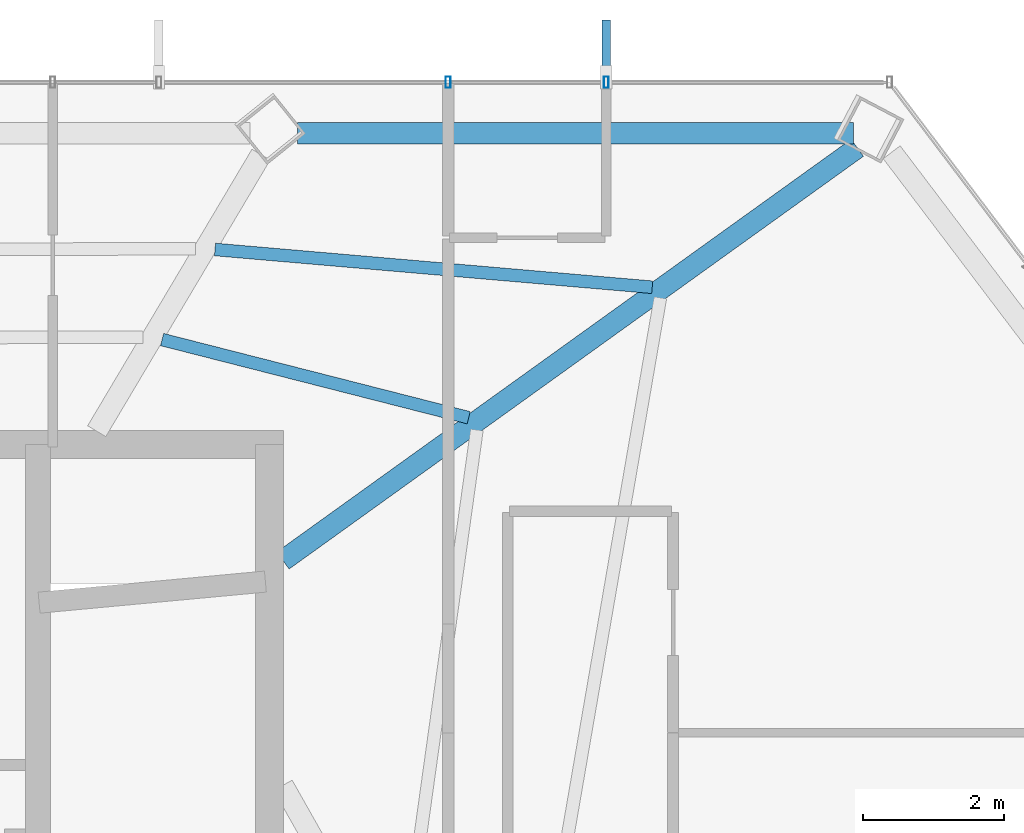
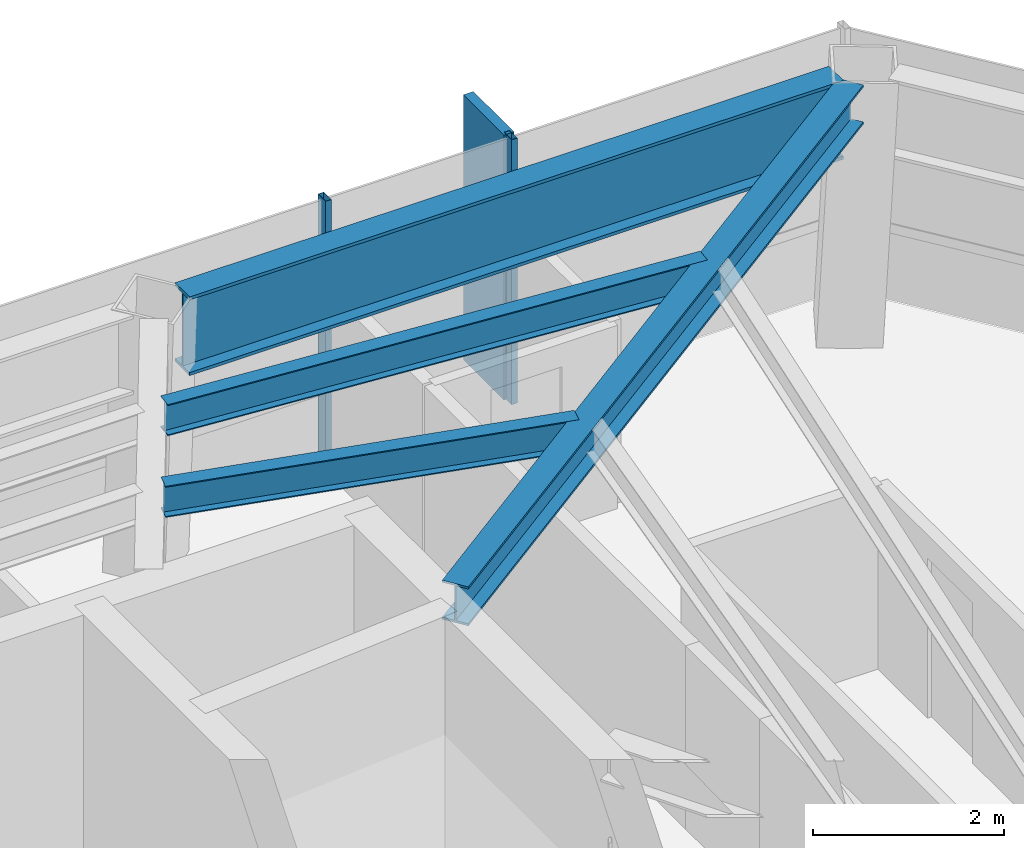
# One storey, part 22 of 28: 4 beams, 3 members, 1 element without a shape of its own.
"""IFC4 building model written with IfcOpenShell, lengths in metres."""

from ifc_helpers import new_model, si_unit, direction, frame, origin, origin_2d, place, context, subcontext, project, spatial, rectangle, hollow_rectangle, i_section, extrude, material, layer, layer_set, material_profile, profile_set, type_object, element, aggregate, save


model = new_model("IFC4")

# Units and contexts
model_context = context("Model", 3, precision=1e-05, world=origin(), true_north=direction((0.0, 1.0)))
body_context = subcontext(model_context, "Body", "Model", "MODEL_VIEW")
ifc_project = project(units=[si_unit("LENGTHUNIT", "METRE"), si_unit("AREAUNIT", "SQUARE_METRE"), si_unit("VOLUMEUNIT", "CUBIC_METRE"), si_unit("PLANEANGLEUNIT", "RADIAN"), si_unit("MASSUNIT", "GRAM", prefix="KILO")], contexts=[model_context])

# Site, building, storey
site_placement = place(None, origin())
site = spatial("IfcSite", under=ifc_project, at=site_placement, CompositionType="ELEMENT")
building_placement = place(site_placement, origin())
building = spatial("IfcBuilding", under=site, at=building_placement, Name="Zarrinselat Tower", CompositionType="ELEMENT")
storey_placement = place(building_placement, frame((0.0, 0.0, 190.739990234375)))
storey = spatial("IfcBuildingStorey", under=building, at=storey_placement, Name="L47", CompositionType="ELEMENT", Elevation=190.739990234375)

# Beams
ifc_material_1 = material(Name="Steel S355J2", Category="steel")
ifc_material_profile_1 = material_profile(ifc_material_1, i_section(OverallWidth=0.300048828125, OverallDepth=0.5, WebThickness=0.014404296875, FlangeThickness=0.028076171875, at=origin_2d()), Name="HEB 500")
ifc_profile_set_1 = profile_set([ifc_material_profile_1], Name="Steel S355J2")
beam_type_1 = type_object("IfcBeamType", Name="BM-HEB500", PredefinedType="BEAM", material=ifc_profile_set_1)
beam_1_placement = place(storey_placement, frame((48.449951171875, 41.800048828125, 3.139892578125), z_axis=(0.812069621858, 0.583560561771, 0.0), x_axis=(-0.583560561771, 0.812069621858, 0.0)))
element("IfcBeam", 1, at=beam_1_placement, inside=storey, type_object=beam_type_1, Name="L47 Radial Primary Girder RG01", PredefinedType="BEAM", context=body_context, shape_type="SweptSolid", body=[
    extrude(i_section(OverallWidth=0.300048828125, OverallDepth=0.5, WebThickness=0.014404296875, FlangeThickness=0.028076171875, at=origin_2d()), origin(), (0.0, 0.0, 1.0), 10.063232421875),
])
ifc_material_2 = material(Name="Steel S460M", Category="steel")
ifc_material_profile_2 = material_profile(ifc_material_2, i_section(OverallWidth=0.302001953125, OverallDepth=1.008056640625, WebThickness=0.02099609375, FlangeThickness=0.0400390625, at=origin_2d()), Name="HEM 1000")
ifc_profile_set_2 = profile_set([ifc_material_profile_2], Name="Steel S460M")
beam_type_2 = type_object("IfcBeamType", Name="BM-HEM1000", PredefinedType="BEAM", material=ifc_profile_set_2)
beam_2_placement = place(storey_placement, frame((48.656494140625, 47.8779296875, 2.885986328125), z_axis=(1.0, 0.0, 0.0), x_axis=(0.0, 1.0, 0.0)))
element("IfcBeam", 2, at=beam_2_placement, inside=storey, type_object=beam_type_2, Name="L47 Perimeter Spandrel Girder SP01", PredefinedType="BEAM", context=body_context, shape_type="SweptSolid", body=[
    extrude(i_section(OverallWidth=0.302001953125, OverallDepth=1.008056640625, WebThickness=0.02099609375, FlangeThickness=0.0400390625, at=origin_2d()), origin(), (0.0, 0.0, 1.0), 7.913330078125),
])
ifc_material_3 = material(Name="Steel S355J2", Category="steel")
ifc_material_profile_3 = material_profile(ifc_material_3, i_section(OverallWidth=0.179931640625, OverallDepth=0.39990234375, WebThickness=0.008544921875, FlangeThickness=0.013427734375, at=origin_2d()), Name="IPE 400")
ifc_profile_set_3 = profile_set([ifc_material_profile_3], Name="Steel S355J2")
beam_type_3 = type_object("IfcBeamType", Name="BM-IPE400", PredefinedType="JOIST", material=ifc_profile_set_3)
beam_3_placement = place(storey_placement, frame((47.48291015625, 46.225341796875, 3.18994140625), z_axis=(0.996290449671, -0.086054284582, 0.0), x_axis=(0.086054284582, 0.996290449671, 0.0)))
element("IfcBeam", 3, at=beam_3_placement, inside=storey, type_object=beam_type_3, Name="L47 Composite Floor Joist 6-1", PredefinedType="JOIST", context=body_context, shape_type="SweptSolid", body=[
    extrude(i_section(OverallWidth=0.179931640625, OverallDepth=0.39990234375, WebThickness=0.008544921875, FlangeThickness=0.013427734375, at=origin_2d()), origin(), (0.0, 0.0, 1.0), 6.244384765625),
])
beam_4_placement = place(storey_placement, frame((46.730712890625, 44.943359375, 3.18994140625), z_axis=(0.969005880725, -0.24703765527, 0.0), x_axis=(0.24703765527, 0.969005880725, 0.0)))
element("IfcBeam", 4, at=beam_4_placement, inside=storey, type_object=beam_type_3, Name="L47 Composite Floor Joist 6-2", PredefinedType="JOIST", context=body_context, shape_type="SweptSolid", body=[
    extrude(i_section(OverallWidth=0.179931640625, OverallDepth=0.39990234375, WebThickness=0.008544921875, FlangeThickness=0.013427734375, at=origin_2d()), origin(), (0.0, 0.0, 1.0), 4.50146484375),
])

# Curtain wall, members
ifc_material_4 = material(Name="Extruded Aluminium Alloy EN AW-6063 T6", Category="aluminium")
ifc_layer = layer(ifc_material_4, 0.175048828125)
ifc_layer_set = layer_set([ifc_layer], Name="Extruded Aluminium Alloy EN AW-6063 T6")
curtain_wall_type = type_object("IfcCurtainWallType", Name="CWS-HTL", PredefinedType="NOTDEFINED", material=ifc_layer_set)
curtain_wall_placement = place(storey_placement, origin())
curtain_wall = element("IfcCurtainWall", 5, at=curtain_wall_placement, inside=storey, type_object=curtain_wall_type, Name="L47 Unitised Curtain Wall CW-L47-E01", PredefinedType="NOTDEFINED")
ifc_material_5 = material(Name="Extruded Aluminium Alloy EN AW-6063 T6", Category="aluminium")
ifc_material_profile_4 = material_profile(ifc_material_5, hollow_rectangle(XDim=0.070068359375, YDim=0.159912109375, WallThickness=0.00390625, at=origin_2d()), Name="RHS 160x70x4")
ifc_profile_set_4 = profile_set([ifc_material_profile_4], Name="Extruded Aluminium Alloy EN AW-6063 T6")
member_type_1 = type_object("IfcMemberType", Name="MEM-CW-MUL2", PredefinedType="MULLION", material=ifc_profile_set_4)
member_1_placement = place(storey_placement, frame((53.050048828125, 48.605712890625, 0.0), z_axis=(0.0, 0.0, 1.0), x_axis=(-1.0, 0.0, 0.0)))
member_1 = element("IfcMember", 6, at=member_1_placement, type_object=member_type_1, Name="CW-L47-E01 Mullion 1", PredefinedType="MULLION", context=body_context, shape_type="SweptSolid", body=[
    extrude(hollow_rectangle(XDim=0.070068359375, YDim=0.159912109375, WallThickness=0.00390625, at=origin_2d()), origin(), (0.0, 0.0, 1.0), 3.389892578125),
])
member_2_placement = place(storey_placement, frame((50.800048828125, 48.605712890625, 0.0), z_axis=(0.0, 0.0, 1.0), x_axis=(-1.0, 0.0, 0.0)))
member_2 = element("IfcMember", 7, at=member_2_placement, type_object=member_type_1, Name="CW-L47-E01 Mullion 2", PredefinedType="MULLION", context=body_context, shape_type="SweptSolid", body=[
    extrude(hollow_rectangle(XDim=0.070068359375, YDim=0.159912109375, WallThickness=0.00390625, at=origin_2d()), origin(), (0.0, 0.0, 1.0), 3.389892578125),
])
ifc_material_6 = material(Name="Honed Cream Travertine Stone", Category="masonry")
ifc_material_profile_5 = material_profile(ifc_material_6, rectangle(XDim=0.1201171875, YDim=0.85009765625, at=origin_2d()), Name="FIN 850x120")
ifc_profile_set_5 = profile_set([ifc_material_profile_5], Name="Honed Cream Travertine Stone")
member_type_2 = type_object("IfcMemberType", Name="MEM-STONE-FIN", PredefinedType="USERDEFINED", material=ifc_profile_set_5)
member_3_placement = place(storey_placement, frame((53.050048828125, 49.065673828125, 0.0), z_axis=(0.0, 0.0, 1.0), x_axis=(1.0, 0.0, 0.0)))
member_3 = element("IfcMember", 8, at=member_3_placement, type_object=member_type_2, Name="L47 Stone Shading Fin CW-L47-E01-01", ObjectType="FIN", PredefinedType="USERDEFINED", context=body_context, shape_type="SweptSolid", body=[
    extrude(rectangle(XDim=0.1201171875, YDim=0.85009765625, at=origin_2d()), origin(), (0.0, 0.0, 1.0), 3.389892578125),
])
aggregate(curtain_wall, [member_1, member_3, member_2])

save(model, "model.ifc")
